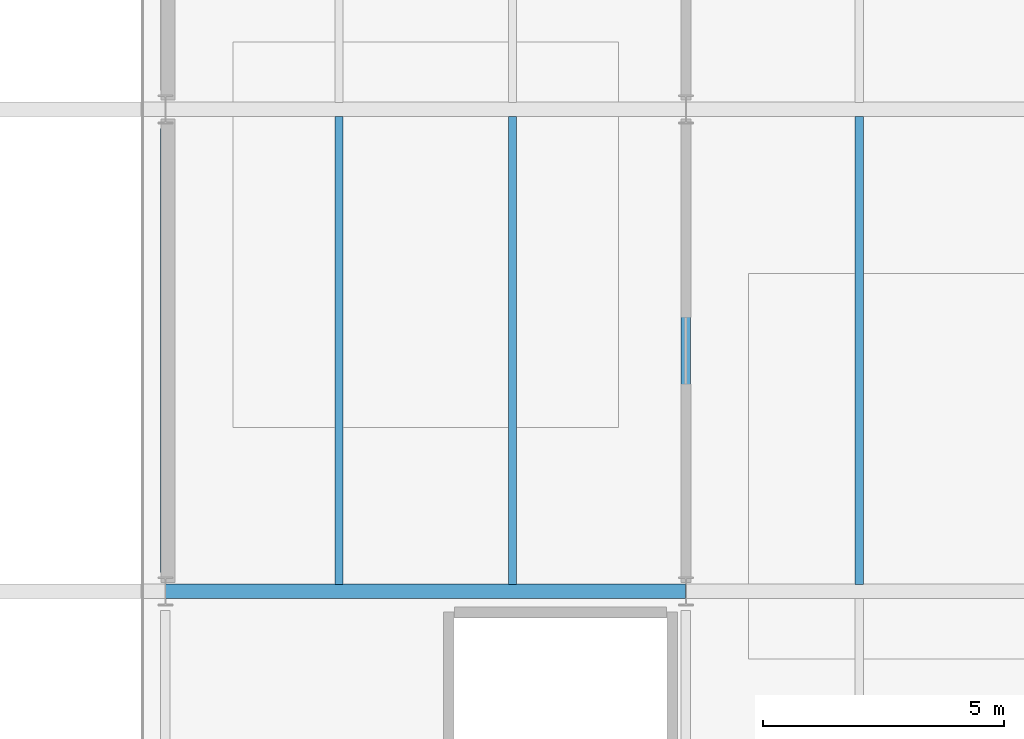
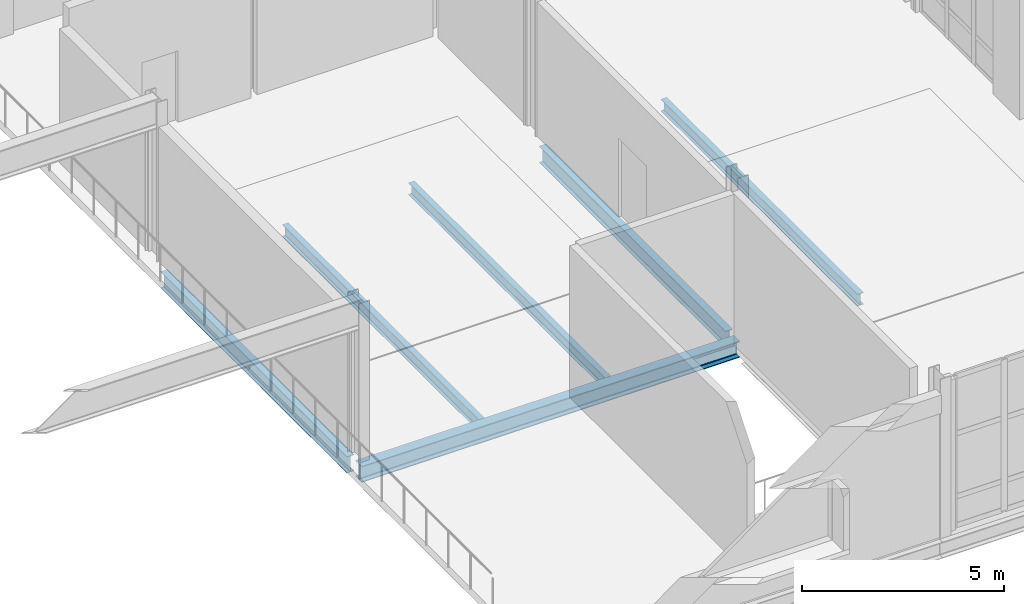
# One storey, part 17 of 92: 6 beams.
"""IFC4 building model written with IfcOpenShell, lengths in metres."""

from ifc_helpers import new_model, si_unit, direction, frame, origin, origin_2d, place, context, subcontext, project, spatial, i_section, extrude, material, material_profile, profile_set, type_object, element, save


model = new_model("IFC4")

# Units and contexts
model_context = context("Model", 3, precision=1e-05, world=origin(), true_north=direction((0.0, 1.0)))
body_context = subcontext(model_context, "Body", "Model", "MODEL_VIEW")
ifc_project = project(units=[si_unit("LENGTHUNIT", "METRE"), si_unit("AREAUNIT", "SQUARE_METRE"), si_unit("VOLUMEUNIT", "CUBIC_METRE"), si_unit("PLANEANGLEUNIT", "RADIAN"), si_unit("MASSUNIT", "GRAM", prefix="KILO")], contexts=[model_context])

# Site, building, storey
site_placement = place(None, origin())
site = spatial("IfcSite", under=ifc_project, at=site_placement, CompositionType="ELEMENT")
building_placement = place(site_placement, origin())
building = spatial("IfcBuilding", under=site, at=building_placement, Name="Tasgan Crest Museum", CompositionType="ELEMENT")
storey_placement = place(building_placement, frame((0.0, 0.0, 4.800048828125)))
storey = spatial("IfcBuildingStorey", under=building, at=storey_placement, Name="L01", CompositionType="ELEMENT", Elevation=4.800048828125)

# Beams
ifc_material_1 = material(Name="Steel S355J2", Category="steel")
ifc_material_profile_1 = material_profile(ifc_material_1, i_section(OverallWidth=0.300048828125, OverallDepth=0.489990234375, WebThickness=0.011962890625, FlangeThickness=0.02294921875, FilletRadius=0.027099609375, at=origin_2d()), Name="HEA 500")
ifc_profile_set_1 = profile_set([ifc_material_profile_1], Name="Steel S355J2")
beam_type_1 = type_object("IfcBeamType", Name="BM-G-HEA500", PredefinedType="BEAM", material=ifc_profile_set_1)
beam_placement = place(storey_placement, frame((32.40673828125, 10.0, -0.485107421875), z_axis=(1.0, 0.0, 0.0), x_axis=(0.0, 1.0, 0.0)))
element("IfcBeam", 1, at=beam_placement, inside=storey, type_object=beam_type_1, Name="Girder L01 B 32.4-43.2", PredefinedType="BEAM", context=body_context, shape_type="SweptSolid", body=[
    extrude(i_section(OverallWidth=0.300048828125, OverallDepth=0.489990234375, WebThickness=0.011962890625, FlangeThickness=0.02294921875, FilletRadius=0.027099609375, at=origin_2d()), origin(), (0.0, 0.0, 1.0), 10.78662109375),
])
ifc_material_2 = material(Name="Steel S355J2", Category="steel")
ifc_material_profile_2 = material_profile(ifc_material_2, i_section(OverallWidth=0.199951171875, OverallDepth=0.5, WebThickness=0.01025390625, FlangeThickness=0.01611328125, FilletRadius=0.02099609375, at=origin_2d()), Name="IPE 500")
ifc_profile_set_2 = profile_set([ifc_material_profile_2], Name="Steel S355J2")
beam_type_2 = type_object("IfcBeamType", Name="BM-G-IPE500", PredefinedType="BEAM", material=ifc_profile_set_2)
for number, where, z_axis, x_axis, name in (
    (2, (32.39990234375, 10.39501953125, -0.489990234375), (0.0, 1.0, 0.0), (-1.0, 0.0, 0.0), "Beam L01 4 10.0-20.0"),
    (3, (43.199951171875, 10.39501953125, -0.489990234375), (0.0, 1.0, 0.0), (-1.0, 0.0, 0.0), "Beam L01 5 10.0-20.0"),
):
    element("IfcBeam", number, at=place(storey_placement, frame(where, z_axis=z_axis, x_axis=x_axis)), inside=storey, type_object=beam_type_2, Name=name, PredefinedType="BEAM", context=body_context, shape_type="SweptSolid", body=[
        extrude(i_section(OverallWidth=0.199951171875, OverallDepth=0.5, WebThickness=0.01025390625, FlangeThickness=0.01611328125, FilletRadius=0.02099609375, at=origin_2d()), origin(), (0.0, 0.0, 1.0), 9.2099609375),
    ])
ifc_material_3 = material(Name="Steel S355J2", Category="steel")
ifc_material_profile_3 = material_profile(ifc_material_3, i_section(OverallWidth=0.169921875, OverallDepth=0.360107421875, WebThickness=0.008056640625, FlangeThickness=0.0126953125, FilletRadius=0.01806640625, at=origin_2d()), Name="IPE 360")
ifc_profile_set_3 = profile_set([ifc_material_profile_3], Name="Steel S355J2")
beam_type_3 = type_object("IfcBeamType", Name="BM-J-IPE360", PredefinedType="JOIST", material=ifc_profile_set_3)
for number, where, z_axis, x_axis, name in (
    (4, (36.0, 10.14501953125, -0.420166015625), (0.0, 1.0, 0.0), (-1.0, 0.0, 0.0), "Secondary joist L01 X=36.0 Y=10.0-20.0"),
    (5, (39.60009765625, 10.14501953125, -0.420166015625), (0.0, 1.0, 0.0), (-1.0, 0.0, 0.0), "Secondary joist L01 X=39.6 Y=10.0-20.0"),
    (6, (46.800048828125, 10.14501953125, -0.420166015625), (0.0, 1.0, 0.0), (-1.0, 0.0, 0.0), "Secondary joist L01 X=46.8 Y=10.0-20.0"),
):
    element("IfcBeam", number, at=place(storey_placement, frame(where, z_axis=z_axis, x_axis=x_axis)), inside=storey, type_object=beam_type_3, Name=name, PredefinedType="JOIST", context=body_context, shape_type="SweptSolid", body=[
        extrude(i_section(OverallWidth=0.169921875, OverallDepth=0.360107421875, WebThickness=0.008056640625, FlangeThickness=0.0126953125, FilletRadius=0.01806640625, at=origin_2d()), origin(), (0.0, 0.0, 1.0), 9.7099609375),
    ])

save(model, "model.ifc")
